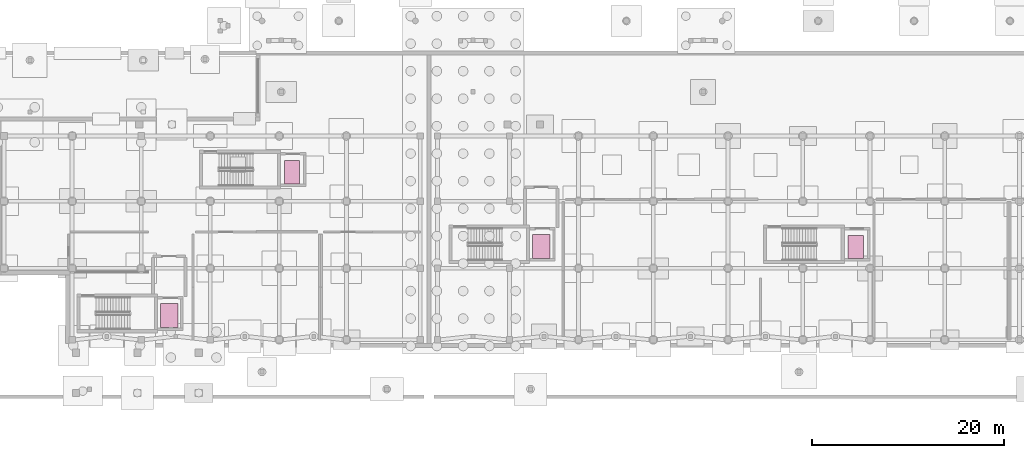
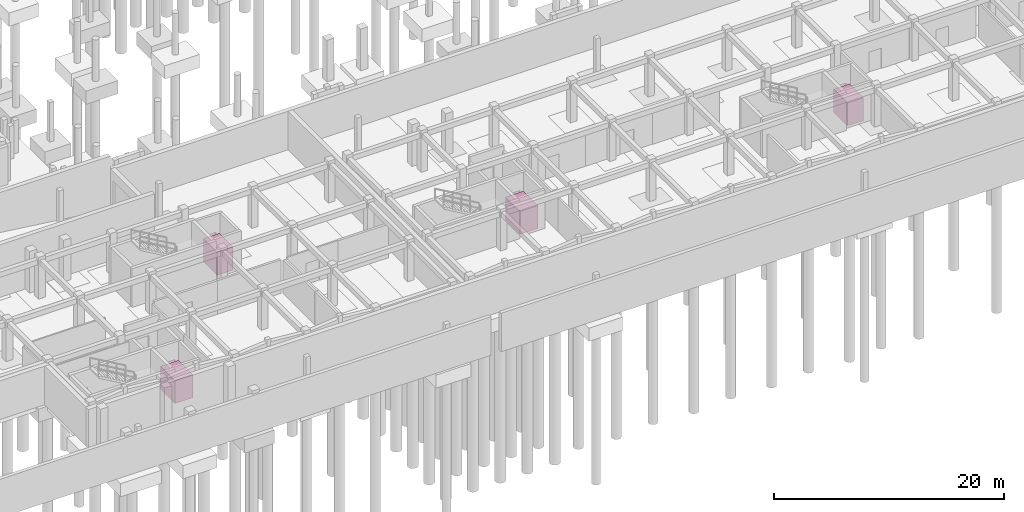
# One storey, part 22 of 22: 4 transport elements.
"""IFC4 building model written with IfcOpenShell, lengths in metres."""

from ifc_helpers import new_model, si_unit, direction, frame, origin, origin_2d, place, context, subcontext, project, spatial, rectangle, extrude, material, type_object, element, save


model = new_model("IFC4")

# Units and contexts
model_context = context("Model", 3, precision=1e-05, world=origin(), true_north=direction((0.0, 1.0)))
body_context = subcontext(model_context, "Body", "Model", "MODEL_VIEW")
ifc_project = project(units=[si_unit("LENGTHUNIT", "METRE"), si_unit("AREAUNIT", "SQUARE_METRE"), si_unit("VOLUMEUNIT", "CUBIC_METRE"), si_unit("PLANEANGLEUNIT", "RADIAN"), si_unit("MASSUNIT", "GRAM", prefix="KILO")], contexts=[model_context])

# Site, building, storey
site_placement = place(None, origin())
site = spatial("IfcSite", under=ifc_project, at=site_placement, CompositionType="ELEMENT")
building_placement = place(site_placement, origin())
building = spatial("IfcBuilding", under=site, at=building_placement, Name="Valcora Specialist Clinic", CompositionType="ELEMENT")
storey_placement = place(building_placement, frame((0.0, 0.0, -4.419921875)))
storey = spatial("IfcBuildingStorey", under=building, at=storey_placement, Name="B1", CompositionType="ELEMENT", Elevation=-4.419921875)

# Transport elements
ifc_material = material(Name="Stainless Steel AISI 316", Category="steel")
transport_element_type_1 = type_object("IfcTransportElementType", Name="TY-LF-FF2250", PredefinedType="ELEVATOR", material=ifc_material)
for number, where, z_axis, x_axis, name in (
    (1, (26.320068359375, 3.27001953125, 0.0), (0.0, 0.0, 1.0), (1.0, 0.0, 0.0), "Elevator LF-05"),
    (2, (65.1201171875, 10.469970703125, 0.0), (0.0, 0.0, 1.0), (1.0, 0.0, 0.0), "Elevator LF-07"),
):
    element("IfcTransportElement", number, at=place(storey_placement, frame(where, z_axis=z_axis, x_axis=x_axis)), inside=storey, type_object=transport_element_type_1, Name=name, PredefinedType="ELEVATOR", context=body_context, shape_type="SweptSolid", body=[
        extrude(rectangle(XDim=1.800048828125, YDim=2.5, at=origin_2d()), origin(), (0.0, 0.0, 1.0), 2.449951171875),
    ])
transport_element_type_2 = type_object("IfcTransportElementType", Name="TY-LF-STR1800", PredefinedType="ELEVATOR", material=ifc_material)
for number, where, z_axis, x_axis, name in (
    (3, (39.1201171875, 18.219970703125, 0.0), (0.0, 0.0, 1.0), (1.0, 0.0, 0.0), "Elevator LF-06"),
    (4, (97.919921875, 10.419921875, 0.0), (0.0, 0.0, 1.0), (1.0, 0.0, 0.0), "Elevator LF-08"),
):
    element("IfcTransportElement", number, at=place(storey_placement, frame(where, z_axis=z_axis, x_axis=x_axis)), inside=storey, type_object=transport_element_type_2, Name=name, PredefinedType="ELEVATOR", context=body_context, shape_type="SweptSolid", body=[
        extrude(rectangle(XDim=1.60009765625, YDim=2.39990234375, at=origin_2d()), origin(), (0.0, 0.0, 1.0), 2.449951171875),
    ])

save(model, "model.ifc")
